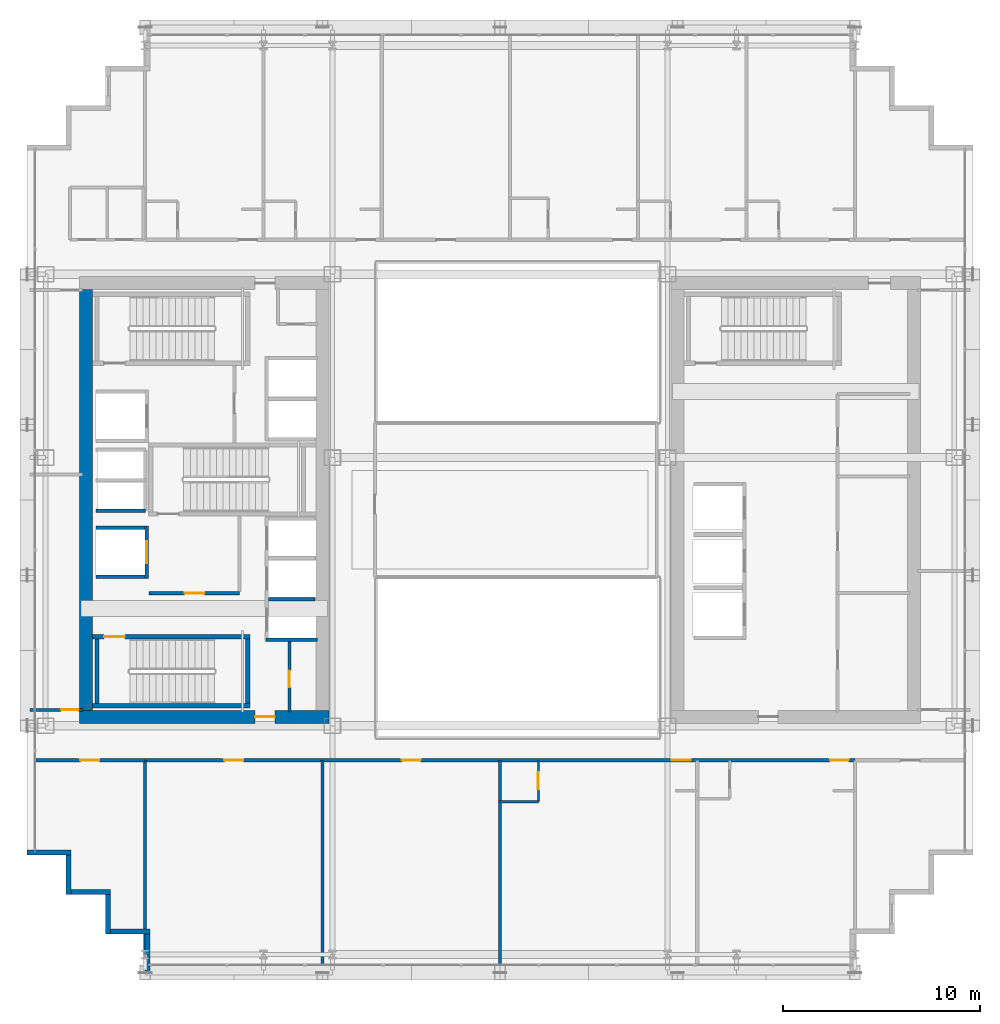
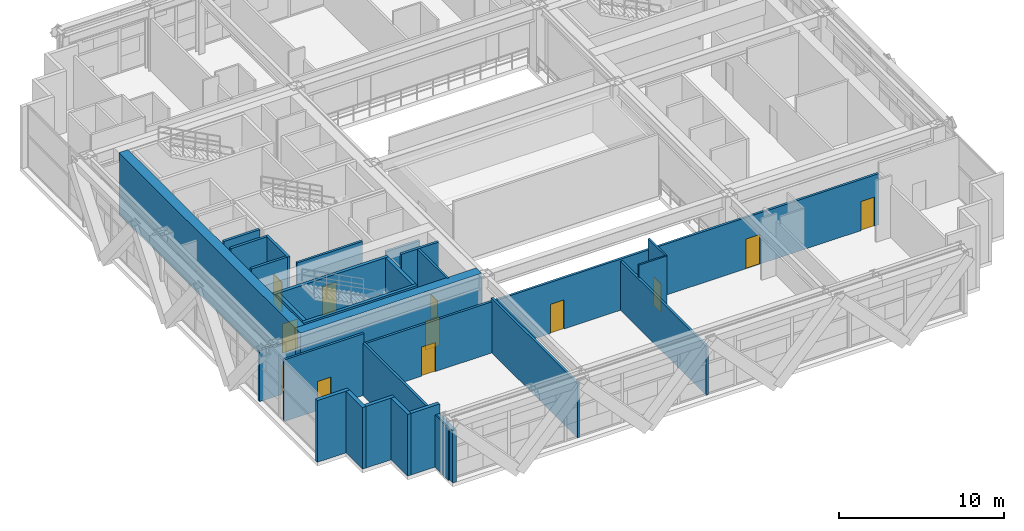
# One storey, part 30 of 38: 28 walls, 12 doors, 12 openings.
"""IFC4 building model written with IfcOpenShell, lengths in metres."""

from ifc_helpers import new_model, si_unit, direction, frame, frame_2d, origin, place, context, subcontext, project, spatial, rectangle, extrude, source, transform, mapped, material, layer, layer_set, type_object, element, fill, save


model = new_model("IFC4")

# Units and contexts
model_context = context("Model", 3, precision=1e-05, world=origin(), true_north=direction((0.0, 1.0)))
body_context = subcontext(model_context, "Body", "Model", "MODEL_VIEW")
ifc_project = project(units=[si_unit("LENGTHUNIT", "METRE"), si_unit("AREAUNIT", "SQUARE_METRE"), si_unit("VOLUMEUNIT", "CUBIC_METRE"), si_unit("PLANEANGLEUNIT", "RADIAN"), si_unit("MASSUNIT", "GRAM", prefix="KILO")], contexts=[model_context])

# Site, building, storey
site_placement = place(None, origin())
site = spatial("IfcSite", under=ifc_project, at=site_placement, CompositionType="ELEMENT")
building_placement = place(site_placement, origin())
building = spatial("IfcBuilding", under=site, at=building_placement, Name="Ocotamira Hotel", CompositionType="ELEMENT")
storey_placement = place(building_placement, frame((0.0, 0.0, 92.39990234375)))
storey = spatial("IfcBuildingStorey", under=building, at=storey_placement, Name="L22", CompositionType="ELEMENT", Elevation=92.39990234375)

# Wall, opening, door
ifc_material_1 = material(Name="Concrete C60/75", Category="concrete")
ifc_layer_1 = layer(ifc_material_1, 0.64990234375)
ifc_layer_set_1 = layer_set([ifc_layer_1], Name="Concrete C60/75")
wall_type_1 = type_object("IfcWallType", Name="WL-CORE-650", PredefinedType="SHEAR", material=ifc_layer_set_1)
wall_1_placement = place(storey_placement, frame((10.675048828125, 15.0, 0.0), z_axis=(0.0, 0.0, 1.0), x_axis=(1.0, 0.0, 0.0)))
wall_1 = element("IfcWall", 1, at=wall_1_placement, inside=storey, type_object=wall_type_1, Name="L22 Shear Core Wall WCORE-S", PredefinedType="SHEAR", context=body_context, shape_type="SweptSolid", body=[
    extrude(rectangle(XDim=12.64990234375, YDim=0.64990234375, at=frame_2d((6.324951171875, 0.0))), origin(), (0.0, 0.0, 1.0), 4.56005859375),
])
opening_1_placement = place(wall_1_placement, frame((8.905029296875, 0.0, 0.0)))
opening_1 = element("IfcOpeningElement", 2, at=opening_1_placement, cuts=wall_1, Name="Opening D-FR2", PredefinedType="OPENING", context=body_context, shape_type="SweptSolid", body=[
    extrude(rectangle(XDim=1.0, YDim=2.14990234375, at=frame_2d((0.5, 1.074951171875))), frame((0.0, 0.3349609375, 0.0), z_axis=(0.0, -1.0, 0.0), x_axis=(1.0, 0.0, 0.0)), (0.0, 0.0, 1.0), 0.669921875),
])
ifc_material_2 = material(Name="Fire-rated acoustic timber-veneer door", Category="wood")
door_type_1 = type_object("IfcDoorType", Name="DR-FIRE-1000", OperationType="NOTDEFINED", PredefinedType="DOOR", material=ifc_material_2)
shared_shape_1 = source(origin(), body_context, "Body", "SweptSolid", [
    extrude(rectangle(XDim=1.0, YDim=2.14990234375, at=frame_2d((0.5, 1.074951171875))), frame((0.0, 0.02490234375, 0.0), z_axis=(0.0, -1.0, 0.0), x_axis=(1.0, 0.0, 0.0)), (0.0, 0.0, 1.0), 0.050048828125),
])
door_1_placement = place(opening_1_placement, origin())
door_1 = element("IfcDoor", 3, at=door_1_placement, inside=storey, type_object=door_type_1, Name="L22 Door ID-L22-WLOB-S-D [ID-L22-WLOB-S-D]", OperationType="SINGLE_SWING_LEFT", OverallHeight=2.14990234375, OverallWidth=1.0, PredefinedType="DOOR", context=body_context, shape_type="MappedRepresentation", body=[
    mapped(shared_shape_1, transform((0.0, 0.0, 0.0), scale=1.0)),
])
fill(opening_1, door_1)

# Walls
wall_2_placement = place(storey_placement, frame((11.0, 15.324951171875, 0.0), z_axis=(0.0, 0.0, 1.0), x_axis=(0.0, 1.0, 0.0)))
element("IfcWall", 4, at=wall_2_placement, inside=storey, type_object=wall_type_1, Name="L22 Shear Core Wall WCORE-W", PredefinedType="SHEAR", context=body_context, shape_type="SweptSolid", body=[
    extrude(rectangle(XDim=21.35009765625, YDim=0.64990234375, at=frame_2d((10.675048828125, 0.0))), origin(), (0.0, 0.0, 1.0), 4.56005859375),
])
ifc_material_3 = material(Name="Precast concrete C45/55", Category="concrete")
ifc_layer_2 = layer(ifc_material_3, 0.25)
ifc_layer_set_2 = layer_set([ifc_layer_2], Name="Precast concrete C45/55")
wall_type_2 = type_object("IfcWallType", Name="WL-EXT-SER-250", PredefinedType="SOLIDWALL", material=ifc_layer_set_2)
wall_3_placement = place(storey_placement, frame((8.0, 8.125, 0.0), z_axis=(0.0, 0.0, 1.0), x_axis=(1.0, 0.0, 0.0)))
element("IfcWall", 5, at=wall_3_placement, inside=storey, type_object=wall_type_2, Name="L22 Serrated Corner Wall 19", PredefinedType="SOLIDWALL", context=body_context, shape_type="SweptSolid", body=[
    extrude(rectangle(XDim=2.25, YDim=0.25, at=frame_2d((1.125, 0.0))), origin(), (0.0, 0.0, 1.0), 4.56005859375),
])
for number, where, z_axis, x_axis, name in (
    (6, (10.125, 8.0, 0.0), (0.0, 0.0, 1.0), (0.0, -1.0, 0.0), "L22 Serrated Corner Wall 20"),
    (7, (10.25, 6.125, 0.0), (0.0, 0.0, 1.0), (1.0, 0.0, 0.0), "L22 Serrated Corner Wall 21"),
    (8, (12.125, 6.0, 0.0), (0.0, 0.0, 1.0), (0.0, -1.0, 0.0), "L22 Serrated Corner Wall 22"),
    (9, (12.25, 4.125, 0.0), (0.0, 0.0, 1.0), (1.0, 0.0, 0.0), "L22 Serrated Corner Wall 23"),
):
    element("IfcWall", number, at=place(storey_placement, frame(where, z_axis=z_axis, x_axis=x_axis)), inside=storey, type_object=wall_type_2, Name=name, PredefinedType="SOLIDWALL", context=body_context, shape_type="SweptSolid", body=[
        extrude(rectangle(XDim=2.0, YDim=0.25, at=frame_2d((1.0, 0.0))), origin(), (0.0, 0.0, 1.0), 4.56005859375),
    ])
wall_4_placement = place(storey_placement, frame((14.125, 4.0, 0.0), z_axis=(0.0, 0.0, 1.0), x_axis=(0.0, -1.0, 0.0)))
element("IfcWall", 10, at=wall_4_placement, inside=storey, type_object=wall_type_2, Name="L22 Serrated Corner Wall 24", PredefinedType="SOLIDWALL", context=body_context, shape_type="SweptSolid", body=[
    extrude(rectangle(XDim=2.0, YDim=0.25, at=frame_2d((1.0, 0.0))), origin(), (0.0, 0.0, 1.0), 3.8671875),
])

# Wall, opening, door
ifc_material_4 = material(Name="Acoustic double-layer fire gypsum board partition", Category="gypsum")
ifc_layer_3 = layer(ifc_material_4, 0.159912109375)
ifc_layer_set_3 = layer_set([ifc_layer_3], Name="Acoustic double-layer fire gypsum board partition")
wall_type_3 = type_object("IfcWallType", Name="WL-FIRE-160", PredefinedType="PARTITIONING", material=ifc_layer_set_3)
wall_5_placement = place(storey_placement, frame((14.199951171875, 21.27001953125, 0.0), z_axis=(0.0, 0.0, 1.0), x_axis=(1.0, 0.0, 0.0)))
wall_5 = element("IfcWall", 11, at=wall_5_placement, inside=storey, type_object=wall_type_3, Name="L22 Interior Wall PW-L22-FSAE1-S", PredefinedType="PARTITIONING", context=body_context, shape_type="SweptSolid", body=[
    extrude(rectangle(XDim=4.580078125, YDim=0.159912109375, at=frame_2d((2.2900390625, 0.0))), origin(), (0.0, 0.0, 1.0), 4.56005859375),
])
opening_2_placement = place(wall_5_placement, frame((1.800048828125, 0.0, 0.0)))
opening_2 = element("IfcOpeningElement", 12, at=opening_2_placement, cuts=wall_5, Name="Opening D-FR2", PredefinedType="OPENING", context=body_context, shape_type="SweptSolid", body=[
    extrude(rectangle(XDim=1.0, YDim=2.14990234375, at=frame_2d((0.5, 1.074951171875))), frame((0.0, 0.08984375, 0.0), z_axis=(0.0, -1.0, 0.0), x_axis=(1.0, 0.0, 0.0)), (0.0, 0.0, 1.0), 0.179931640625),
])
door_2_placement = place(opening_2_placement, origin())
door_2 = element("IfcDoor", 13, at=door_2_placement, inside=storey, type_object=door_type_1, Name="L22 Door ID-L22-FSAE1-D [ID-L22-FSAE1-D]", OperationType="SINGLE_SWING_LEFT", OverallHeight=2.14990234375, OverallWidth=1.0, PredefinedType="DOOR", context=body_context, shape_type="MappedRepresentation", body=[
    mapped(shared_shape_1, transform((0.0, 0.0, 0.0), scale=1.0)),
])
fill(opening_2, door_2)

# Wall, openings, doors
wall_6_placement = place(storey_placement, frame((14.0, 12.800048828125, 0.0), z_axis=(0.0, 0.0, 1.0), x_axis=(1.0, 0.0, 0.0)))
wall_6 = element("IfcWall", 14, at=wall_6_placement, inside=storey, type_object=wall_type_3, Name="L22 Interior Wall PW-L22-L22S-CORRW", PredefinedType="PARTITIONING", context=body_context, shape_type="SweptSolid", body=[
    extrude(rectangle(XDim=36.0, YDim=0.159912109375, at=frame_2d((18.0, 0.0))), origin(), (0.0, 0.0, 1.0), 3.781005859375),
])
opening_3_placement = place(wall_6_placement, frame((4.02001953125, 0.0, 0.0)))
opening_3 = element("IfcOpeningElement", 15, at=opening_3_placement, cuts=wall_6, Name="Opening D-SV4", PredefinedType="OPENING", context=body_context, shape_type="SweptSolid", body=[
    extrude(rectangle(XDim=0.9599609375, YDim=2.14990234375, at=frame_2d((0.47998046875, 1.074951171875))), frame((0.0, 0.08984375, 0.0), z_axis=(0.0, -1.0, 0.0), x_axis=(1.0, 0.0, 0.0)), (0.0, 0.0, 1.0), 0.179931640625),
])
opening_4_placement = place(wall_6_placement, frame((13.02001953125, 0.0, 0.0)))
opening_4 = element("IfcOpeningElement", 16, at=opening_4_placement, cuts=wall_6, Name="Opening D-SV4", PredefinedType="OPENING", context=body_context, shape_type="SweptSolid", body=[
    extrude(rectangle(XDim=0.9599609375, YDim=2.14990234375, at=frame_2d((0.47998046875, 1.074951171875))), frame((0.0, 0.08984375, 0.0), z_axis=(0.0, -1.0, 0.0), x_axis=(1.0, 0.0, 0.0)), (0.0, 0.0, 1.0), 0.179931640625),
])
opening_5_placement = place(wall_6_placement, frame((26.699951171875, 0.0, 0.0)))
opening_5 = element("IfcOpeningElement", 17, at=opening_5_placement, cuts=wall_6, Name="Opening D-GR2", PredefinedType="OPENING", context=body_context, shape_type="SweptSolid", body=[
    extrude(rectangle(XDim=0.97998046875, YDim=2.199951171875, at=frame_2d((0.489990234375, 1.10009765625))), frame((0.0, 0.08984375, 0.0), z_axis=(0.0, -1.0, 0.0), x_axis=(1.0, 0.0, 0.0)), (0.0, 0.0, 1.0), 0.179931640625),
])
opening_6_placement = place(wall_6_placement, frame((34.739990234375, 0.0, 0.0)))
opening_6 = element("IfcOpeningElement", 18, at=opening_6_placement, cuts=wall_6, Name="Opening D-GR1", PredefinedType="OPENING", context=body_context, shape_type="SweptSolid", body=[
    extrude(rectangle(XDim=0.93994140625, YDim=2.14990234375, at=frame_2d((0.469970703125, 1.074951171875))), frame((0.0, 0.08984375, 0.0), z_axis=(0.0, -1.0, 0.0), x_axis=(1.0, 0.0, 0.0)), (0.0, 0.0, 1.0), 0.179931640625),
])
ifc_material_5 = material(Name="Fire-rated accessible walnut salon door", Category="wood")
door_type_2 = type_object("IfcDoorType", Name="DR-SERV-960", OperationType="NOTDEFINED", PredefinedType="DOOR", material=ifc_material_5)
shared_shape_2 = source(origin(), body_context, "Body", "SweptSolid", [
    extrude(rectangle(XDim=0.9599609375, YDim=2.14990234375, at=frame_2d((0.47998046875, 1.074951171875))), frame((0.0, 0.02490234375, 0.0), z_axis=(0.0, -1.0, 0.0), x_axis=(1.0, 0.0, 0.0)), (0.0, 0.0, 1.0), 0.050048828125),
])
door_3_placement = place(opening_3_placement, origin())
door_3 = element("IfcDoor", 19, at=door_3_placement, inside=storey, type_object=door_type_2, Name="L22 Door ID-L22-L22S-AMD1 [ID-L22-L22S-AMD1]", OperationType="SINGLE_SWING_LEFT", OverallHeight=2.14990234375, OverallWidth=0.9599609375, PredefinedType="DOOR", context=body_context, shape_type="MappedRepresentation", body=[
    mapped(shared_shape_2, transform((0.0, 0.0, 0.0), scale=1.0)),
])
fill(opening_3, door_3)
door_4_placement = place(opening_4_placement, origin())
door_4 = element("IfcDoor", 20, at=door_4_placement, inside=storey, type_object=door_type_2, Name="L22 Door ID-L22-L22S-AMD2 [ID-L22-L22S-AMD2]", OperationType="SINGLE_SWING_RIGHT", OverallHeight=2.14990234375, OverallWidth=0.9599609375, PredefinedType="DOOR", context=body_context, shape_type="MappedRepresentation", body=[
    mapped(shared_shape_2, transform((0.0, 0.0, 0.0), scale=1.0)),
])
fill(opening_4, door_4)
ifc_material_6 = material(Name="Solid-core walnut suite entrance fire door", Category="wood")
door_type_3 = type_object("IfcDoorType", Name="DR-GUEST-940", OperationType="NOTDEFINED", PredefinedType="DOOR", material=ifc_material_6)
shared_shape_3 = source(origin(), body_context, "Body", "SweptSolid", [
    extrude(rectangle(XDim=0.93994140625, YDim=2.14990234375, at=frame_2d((0.469970703125, 1.074951171875))), frame((0.0, 0.02490234375, 0.0), z_axis=(0.0, -1.0, 0.0), x_axis=(1.0, 0.0, 0.0)), (0.0, 0.0, 1.0), 0.050048828125),
])
door_5_placement = place(opening_6_placement, origin())
door_5 = element("IfcDoor", 21, at=door_5_placement, inside=storey, type_object=door_type_3, Name="L22 Door ID-L22-L22S-RMD4 [ID-L22-L22S-RMD4]", OperationType="SINGLE_SWING_RIGHT", OverallHeight=2.14990234375, OverallWidth=0.93994140625, PredefinedType="DOOR", context=body_context, shape_type="MappedRepresentation", body=[
    mapped(shared_shape_3, transform((0.0, 0.0, 0.0), scale=1.0)),
])
fill(opening_6, door_5)
ifc_material_7 = material(Name="Solid-core walnut grand-suite entrance fire door", Category="wood")
door_type_4 = type_object("IfcDoorType", Name="DR-GUEST-980", OperationType="NOTDEFINED", PredefinedType="DOOR", material=ifc_material_7)
shared_shape_4 = source(origin(), body_context, "Body", "SweptSolid", [
    extrude(rectangle(XDim=0.97998046875, YDim=2.199951171875, at=frame_2d((0.489990234375, 1.10009765625))), frame((0.0, 0.02490234375, 0.0), z_axis=(0.0, -1.0, 0.0), x_axis=(1.0, 0.0, 0.0)), (0.0, 0.0, 1.0), 0.050048828125),
])
door_6_placement = place(opening_5_placement, origin())
door_6 = element("IfcDoor", 22, at=door_6_placement, inside=storey, type_object=door_type_4, Name="L22 Door ID-L22-L22S-RMD3 [ID-L22-L22S-RMD3]", OperationType="SINGLE_SWING_LEFT", OverallHeight=2.199951171875, OverallWidth=0.97998046875, PredefinedType="DOOR", context=body_context, shape_type="MappedRepresentation", body=[
    mapped(shared_shape_4, transform((0.0, 0.0, 0.0), scale=1.0)),
])
fill(opening_5, door_6)

# Wall, opening, door
wall_7_placement = place(storey_placement, frame((8.39990234375, 12.800048828125, 0.0), z_axis=(0.0, 0.0, 1.0), x_axis=(1.0, 0.0, 0.0)))
wall_7 = element("IfcWall", 23, at=wall_7_placement, inside=storey, type_object=wall_type_3, Name="L22 Interior Wall PW-L22-L22-CSW-CW", PredefinedType="PARTITIONING", context=body_context, shape_type="SweptSolid", body=[
    extrude(rectangle(XDim=5.60009765625, YDim=0.159912109375, at=frame_2d((2.800048828125, 0.0))), origin(), (0.0, 0.0, 1.0), 4.56005859375),
])
opening_7_placement = place(wall_7_placement, frame((2.320068359375, 0.0, 0.0)))
opening_7 = element("IfcOpeningElement", 24, at=opening_7_placement, cuts=wall_7, Name="Opening D-SV4", PredefinedType="OPENING", context=body_context, shape_type="SweptSolid", body=[
    extrude(rectangle(XDim=0.9599609375, YDim=2.14990234375, at=frame_2d((0.47998046875, 1.074951171875))), frame((0.0, 0.08984375, 0.0), z_axis=(0.0, -1.0, 0.0), x_axis=(1.0, 0.0, 0.0)), (0.0, 0.0, 1.0), 0.179931640625),
])
door_7_placement = place(opening_7_placement, origin())
door_7 = element("IfcDoor", 25, at=door_7_placement, inside=storey, type_object=door_type_2, Name="L22 Door ID-L22-L22-CSW-CD [ID-L22-L22-CSW-CD]", OperationType="SINGLE_SWING_LEFT", OverallHeight=2.14990234375, OverallWidth=0.9599609375, PredefinedType="DOOR", context=body_context, shape_type="MappedRepresentation", body=[
    mapped(shared_shape_2, transform((0.0, 0.0, 0.0), scale=1.0)),
])
fill(opening_7, door_7)

ifc_material_8 = material(Name="Moisture-resistant en-suite tile and gypsum partition", Category="gypsum")
ifc_layer_4 = layer(ifc_material_8, 0.1201171875)
ifc_layer_set_4 = layer_set([ifc_layer_4], Name="Moisture-resistant en-suite tile and gypsum partition")
wall_type_4 = type_object("IfcWallType", Name="WL-PART-120", PredefinedType="PARTITIONING", material=ifc_layer_set_4)
wall_8_placement = place(storey_placement, frame((33.949951171875, 10.699951171875, 0.0), z_axis=(0.0, 0.0, 1.0), x_axis=(0.0, 1.0, 0.0)))
wall_8 = element("IfcWall", 26, at=wall_8_placement, inside=storey, type_object=wall_type_4, Name="L22 Interior Wall PW-L22-L22S-BAE3", PredefinedType="PARTITIONING", context=body_context, shape_type="SweptSolid", body=[
    extrude(rectangle(XDim=2.10009765625, YDim=0.1201171875, at=frame_2d((1.050048828125, 0.0))), origin(), (0.0, 0.0, 1.0), 4.56005859375),
])
opening_8_placement = place(wall_8_placement, frame((0.6201171875, 0.0, 0.0)))
opening_8 = element("IfcOpeningElement", 27, at=opening_8_placement, cuts=wall_8, Name="Opening D-BA1", PredefinedType="OPENING", context=body_context, shape_type="SweptSolid", body=[
    extrude(rectangle(XDim=0.860107421875, YDim=2.10009765625, at=frame_2d((0.43017578125, 1.050048828125))), frame((0.0, 0.070068359375, 0.0), z_axis=(0.0, -1.0, 0.0), x_axis=(1.0, 0.0, 0.0)), (0.0, 0.0, 1.0), 0.14013671875),
])
ifc_material_9 = material(Name="Moisture-sealed en-suite timber door", Category="wood")
door_type_5 = type_object("IfcDoorType", Name="DR-BATH-860", OperationType="NOTDEFINED", PredefinedType="DOOR", material=ifc_material_9)
shared_shape_5 = source(origin(), body_context, "Body", "SweptSolid", [
    extrude(rectangle(XDim=0.860107421875, YDim=2.10009765625, at=frame_2d((0.43017578125, 1.050048828125))), frame((0.0, 0.02490234375, 0.0), z_axis=(0.0, -1.0, 0.0), x_axis=(1.0, 0.0, 0.0)), (0.0, 0.0, 1.0), 0.050048828125),
])
door_8_placement = place(opening_8_placement, origin())
door_8 = element("IfcDoor", 28, at=door_8_placement, inside=storey, type_object=door_type_5, Name="L22 Door ID-L22-L22S-BAD3 [ID-L22-L22S-BAD3]", OperationType="SINGLE_SWING_RIGHT", OverallHeight=2.10009765625, OverallWidth=0.860107421875, PredefinedType="DOOR", context=body_context, shape_type="MappedRepresentation", body=[
    mapped(shared_shape_5, transform((0.0, 0.0, 0.0), scale=1.0)),
])
fill(opening_8, door_8)

# Wall
wall_9_placement = place(storey_placement, frame((32.0, 10.699951171875, 0.0), z_axis=(0.0, 0.0, 1.0), x_axis=(1.0, 0.0, 0.0)))
element("IfcWall", 29, at=wall_9_placement, inside=storey, type_object=wall_type_4, Name="L22 Interior Wall PW-L22-L22S-BAS3", PredefinedType="PARTITIONING", context=body_context, shape_type="SweptSolid", body=[
    extrude(rectangle(XDim=1.949951171875, YDim=0.1201171875, at=frame_2d((0.97509765625, 0.0))), origin(), (0.0, 0.0, 1.0), 4.56005859375),
])

# Wall, opening, door
ifc_material_10 = material(Name="Acoustic hospitality gypsum board partition", Category="gypsum")
ifc_layer_5 = layer(ifc_material_10, 0.14208984375)
ifc_layer_set_5 = layer_set([ifc_layer_5], Name="Acoustic hospitality gypsum board partition")
wall_type_5 = type_object("IfcWallType", Name="WL-PART-142", PredefinedType="PARTITIONING", material=ifc_layer_set_5)
wall_10_placement = place(storey_placement, frame((21.320068359375, 15.25, 0.0), z_axis=(0.0, 0.0, 1.0), x_axis=(0.0, 1.0, 0.0)))
wall_10 = element("IfcWall", 30, at=wall_10_placement, inside=storey, type_object=wall_type_5, Name="L22 Interior Wall PW-L22-WC-SE-W", PredefinedType="PARTITIONING", context=body_context, shape_type="SweptSolid", body=[
    extrude(rectangle(XDim=3.590087890625, YDim=0.14208984375, at=frame_2d((1.794921875, 0.0))), origin(), (0.0, 0.0, 1.0), 4.56005859375),
])
opening_9_placement = place(wall_10_placement, frame((1.25, 0.0, 0.0)))
opening_9 = element("IfcOpeningElement", 31, at=opening_9_placement, cuts=wall_10, Name="Opening D-SV1", PredefinedType="OPENING", context=body_context, shape_type="SweptSolid", body=[
    extrude(rectangle(XDim=0.840087890625, YDim=2.10009765625, at=frame_2d((0.419921875, 1.050048828125))), frame((0.0, 0.0810546875, 0.0), z_axis=(0.0, -1.0, 0.0), x_axis=(1.0, 0.0, 0.0)), (0.0, 0.0, 1.0), 0.162109375),
])
ifc_material_11 = material(Name="Fire-rated painted steel service door", Category="steel")
door_type_6 = type_object("IfcDoorType", Name="DR-SERV-840", OperationType="NOTDEFINED", PredefinedType="DOOR", material=ifc_material_11)
shared_shape_6 = source(origin(), body_context, "Body", "SweptSolid", [
    extrude(rectangle(XDim=0.840087890625, YDim=2.10009765625, at=frame_2d((0.419921875, 1.050048828125))), frame((0.0, 0.02490234375, 0.0), z_axis=(0.0, -1.0, 0.0), x_axis=(1.0, 0.0, 0.0)), (0.0, 0.0, 1.0), 0.050048828125),
])
door_9_placement = place(opening_9_placement, origin())
door_9 = element("IfcDoor", 32, at=door_9_placement, inside=storey, type_object=door_type_6, Name="L22 Door ID-L22-WC-SE-D [ID-L22-WC-SE-D]", OperationType="SINGLE_SWING_RIGHT", OverallHeight=2.10009765625, OverallWidth=0.840087890625, PredefinedType="DOOR", context=body_context, shape_type="MappedRepresentation", body=[
    mapped(shared_shape_6, transform((0.0, 0.0, 0.0), scale=1.0)),
])
fill(opening_9, door_9)

ifc_layer_6 = layer(ifc_material_10, 0.14990234375)
ifc_layer_set_6 = layer_set([ifc_layer_6], Name="Acoustic hospitality gypsum board partition")
wall_type_6 = type_object("IfcWallType", Name="WL-PART-150", PredefinedType="PARTITIONING", material=ifc_layer_set_6)
wall_11_placement = place(storey_placement, frame((8.159912109375, 15.360107421875, 0.0), z_axis=(0.0, 0.0, 1.0), x_axis=(1.0, 0.0, 0.0)))
wall_11 = element("IfcWall", 33, at=wall_11_placement, inside=storey, type_object=wall_type_6, Name="L22 Interior Wall PW-L22-L22W-WS", PredefinedType="PARTITIONING", context=body_context, shape_type="SweptSolid", body=[
    extrude(rectangle(XDim=2.66015625, YDim=0.14990234375, at=frame_2d((1.330078125, 0.0))), origin(), (0.0, 0.0, 1.0), 3.781005859375),
])
opening_10_placement = place(wall_11_placement, frame((1.580078125, 0.0, 0.0)))
opening_10 = element("IfcOpeningElement", 34, at=opening_10_placement, cuts=wall_11, Name="Opening D-SV2", PredefinedType="OPENING", context=body_context, shape_type="SweptSolid", body=[
    extrude(rectangle(XDim=0.8798828125, YDim=2.14990234375, at=frame_2d((0.43994140625, 1.074951171875))), frame((0.0, 0.0849609375, 0.0), z_axis=(0.0, -1.0, 0.0), x_axis=(1.0, 0.0, 0.0)), (0.0, 0.0, 1.0), 0.169921875),
])
door_type_7 = type_object("IfcDoorType", Name="DR-SERV-880", OperationType="NOTDEFINED", PredefinedType="DOOR", material=ifc_material_11)
shared_shape_7 = source(origin(), body_context, "Body", "SweptSolid", [
    extrude(rectangle(XDim=0.8798828125, YDim=2.14990234375, at=frame_2d((0.43994140625, 1.074951171875))), frame((0.0, 0.02490234375, 0.0), z_axis=(0.0, -1.0, 0.0), x_axis=(1.0, 0.0, 0.0)), (0.0, 0.0, 1.0), 0.050048828125),
])
door_10_placement = place(opening_10_placement, origin())
door_10 = element("IfcDoor", 35, at=door_10_placement, inside=storey, type_object=door_type_7, Name="L22 Door ID-L22-L22W-DS [ID-L22-L22W-DS]", OperationType="SINGLE_SWING_LEFT", OverallHeight=2.14990234375, OverallWidth=0.8798828125, PredefinedType="DOOR", context=body_context, shape_type="MappedRepresentation", body=[
    mapped(shared_shape_7, transform((0.0, 0.0, 0.0), scale=1.0)),
])
fill(opening_10, door_10)

# Walls
ifc_material_12 = material(Name="Acoustic double-stud hospitality gypsum partition", Category="gypsum")
ifc_layer_7 = layer(ifc_material_12, 0.159912109375)
ifc_layer_set_7 = layer_set([ifc_layer_7], Name="Acoustic double-stud hospitality gypsum partition")
wall_type_7 = type_object("IfcWallType", Name="WL-PART-160", PredefinedType="PARTITIONING", material=ifc_layer_set_7)
wall_12_placement = place(storey_placement, frame((14.0, 2.360107421875, 0.0), z_axis=(0.0, 0.0, 1.0), x_axis=(0.0, 1.0, 0.0)))
element("IfcWall", 36, at=wall_12_placement, inside=storey, type_object=wall_type_7, Name="L22 Interior Wall PW-L22-L22S-PW0", PredefinedType="PARTITIONING", context=body_context, shape_type="SweptSolid", body=[
    extrude(rectangle(XDim=10.43994140625, YDim=0.159912109375, at=frame_2d((5.219970703125, 0.0))), origin(), (0.0, 0.0, 1.0), 3.8671875),
])
wall_13_placement = place(storey_placement, frame((23.0, 2.360107421875, 0.0), z_axis=(0.0, 0.0, 1.0), x_axis=(0.0, 1.0, 0.0)))
element("IfcWall", 37, at=wall_13_placement, inside=storey, type_object=wall_type_7, Name="L22 Interior Wall PW-L22-L22S-PW1", PredefinedType="PARTITIONING", context=body_context, shape_type="SweptSolid", body=[
    extrude(rectangle(XDim=10.43994140625, YDim=0.159912109375, at=frame_2d((5.219970703125, 0.0))), origin(), (0.0, 0.0, 1.0), 4.023193359375),
])
wall_14_placement = place(storey_placement, frame((32.0, 2.360107421875, 0.0), z_axis=(0.0, 0.0, 1.0), x_axis=(0.0, 1.0, 0.0)))
element("IfcWall", 38, at=wall_14_placement, inside=storey, type_object=wall_type_7, Name="L22 Interior Wall PW-L22-L22S-PW2", PredefinedType="PARTITIONING", context=body_context, shape_type="SweptSolid", body=[
    extrude(rectangle(XDim=10.43994140625, YDim=0.159912109375, at=frame_2d((5.219970703125, 0.0))), origin(), (0.0, 0.0, 1.0), 3.633056640625),
])
ifc_material_13 = material(Name="Fire-rated gypsum shaftliner board assembly", Category="gypsum")
ifc_layer_8 = layer(ifc_material_13, 0.179931640625)
ifc_layer_set_8 = layer_set([ifc_layer_8], Name="Fire-rated gypsum shaftliner board assembly")
wall_type_8 = type_object("IfcWallType", Name="WL-SHAFT-180", PredefinedType="SOLIDWALL", material=ifc_layer_set_8)
wall_15_placement = place(storey_placement, frame((20.1201171875, 18.909912109375, 0.0), z_axis=(0.0, 0.0, 1.0), x_axis=(1.0, 0.0, 0.0)))
element("IfcWall", 39, at=wall_15_placement, inside=storey, type_object=wall_type_8, Name="L22 Interior Wall PW-L22-LFW-BANK-high-S", PredefinedType="SOLIDWALL", context=body_context, shape_type="SweptSolid", body=[
    extrude(rectangle(XDim=2.6298828125, YDim=0.179931640625, at=frame_2d((1.31494140625, 0.0))), origin(), (0.0, 0.0, 1.0), 4.56005859375),
])
wall_16_placement = place(storey_placement, frame((20.25, 20.965087890625, 0.0), z_axis=(0.0, 0.0, 1.0), x_axis=(1.0, 0.0, 0.0)))
element("IfcWall", 40, at=wall_16_placement, inside=storey, type_object=wall_type_8, Name="L22 Interior Wall PW-L22-LFW-DIV-LF-P7", PredefinedType="SOLIDWALL", context=body_context, shape_type="SweptSolid", body=[
    extrude(rectangle(XDim=2.360107421875, YDim=0.179931640625, at=frame_2d((1.18017578125, 0.0))), origin(), (0.0, 0.0, 1.0), 3.460205078125),
])
for number, where, z_axis, x_axis, name in (
    (41, (11.5, 22.110107421875, 0.0), (0.0, 0.0, 1.0), (1.0, 0.0, 0.0), "L22 Interior Wall PW-L22-LFW-LF-FSAE1-S"),
    (42, (11.5, 24.590087890625, 0.0), (0.0, 0.0, 1.0), (1.0, 0.0, 0.0), "L22 Interior Wall PW-L22-LFW-LF-FSAE1-N"),
):
    element("IfcWall", number, at=place(storey_placement, frame(where, z_axis=z_axis, x_axis=x_axis)), inside=storey, type_object=wall_type_8, Name=name, PredefinedType="SOLIDWALL", context=body_context, shape_type="SweptSolid", body=[
        extrude(rectangle(XDim=2.5, YDim=0.179931640625, at=frame_2d((1.25, 0.0))), origin(), (0.0, 0.0, 1.0), 4.56005859375),
    ])

# Wall, opening, door
wall_17_placement = place(storey_placement, frame((14.090087890625, 22.02001953125, 0.0), z_axis=(0.0, 0.0, 1.0), x_axis=(0.0, 1.0, 0.0)))
wall_17 = element("IfcWall", 43, at=wall_17_placement, inside=storey, type_object=wall_type_8, Name="L22 Interior Wall PW-L22-LFW-LF-FSAE1-E", PredefinedType="SOLIDWALL", context=body_context, shape_type="SweptSolid", body=[
    extrude(rectangle(XDim=2.659912109375, YDim=0.179931640625, at=frame_2d((1.330078125, 0.0))), origin(), (0.0, 0.0, 1.0), 4.56005859375),
])
opening_11_placement = place(wall_17_placement, frame((0.780029296875, 0.0, 0.0)))
opening_11 = element("IfcOpeningElement", 44, at=opening_11_placement, cuts=wall_17, Name="Opening LD-LF-FSAE1", PredefinedType="OPENING", context=body_context, shape_type="SweptSolid", body=[
    extrude(rectangle(XDim=1.10009765625, YDim=2.199951171875, at=frame_2d((0.550048828125, 1.10009765625))), frame((0.0, 0.10009765625, 0.0), z_axis=(0.0, -1.0, 0.0), x_axis=(1.0, 0.0, 0.0)), (0.0, 0.0, 1.0), 0.199951171875),
])
ifc_material_14 = material(Name="Brushed pale-metal stainless elevator landing door", Category="steel")
door_type_8 = type_object("IfcDoorType", Name="DR-LIFT-1100", OperationType="NOTDEFINED", PredefinedType="DOOR", material=ifc_material_14)
shared_shape_8 = source(origin(), body_context, "Body", "SweptSolid", [
    extrude(rectangle(XDim=1.10009765625, YDim=2.199951171875, at=frame_2d((0.550048828125, 1.10009765625))), frame((0.0, 0.02490234375, 0.0), z_axis=(0.0, -1.0, 0.0), x_axis=(1.0, 0.0, 0.0)), (0.0, 0.0, 1.0), 0.050048828125),
])
door_11_placement = place(opening_11_placement, origin())
door_11 = element("IfcDoor", 45, at=door_11_placement, inside=storey, type_object=door_type_8, Name="L22 Landing Door LD-LF-FSAE1 [ID-L22-LD-LF-FSAE1]", OperationType="DOUBLE_DOOR_SLIDING", OverallHeight=2.199951171875, OverallWidth=1.10009765625, PredefinedType="DOOR", context=body_context, shape_type="MappedRepresentation", body=[
    mapped(shared_shape_8, transform((0.0, 0.0, 0.0), scale=1.0)),
])
fill(opening_11, door_11)

# Walls
wall_18_placement = place(storey_placement, frame((11.5, 25.4599609375, 0.0), z_axis=(0.0, 0.0, 1.0), x_axis=(1.0, 0.0, 0.0)))
element("IfcWall", 46, at=wall_18_placement, inside=storey, type_object=wall_type_8, Name="L22 Interior Wall PW-L22-RSW-S", PredefinedType="SOLIDWALL", context=body_context, shape_type="SweptSolid", body=[
    extrude(rectangle(XDim=2.510009765625, YDim=0.179931640625, at=frame_2d((1.2548828125, 0.0))), origin(), (0.0, 0.0, 1.0), 4.56005859375),
])
ifc_material_15 = material(Name="Concrete C50/60", Category="concrete")
ifc_layer_9 = layer(ifc_material_15, 0.219970703125)
ifc_layer_set_9 = layer_set([ifc_layer_9], Name="Concrete C50/60")
wall_type_9 = type_object("IfcWallType", Name="WL-STAIR-220", PredefinedType="SHEAR", material=ifc_layer_set_9)
wall_19_placement = place(storey_placement, frame((11.324951171875, 15.56005859375, 0.0), z_axis=(0.0, 0.0, 1.0), x_axis=(1.0, 0.0, 0.0)))
element("IfcWall", 47, at=wall_19_placement, inside=storey, type_object=wall_type_9, Name="L22 Stair Shaft Structural Wall ST-1-S", PredefinedType="SHEAR", context=body_context, shape_type="SweptSolid", body=[
    extrude(rectangle(XDim=7.985107421875, YDim=0.219970703125, at=frame_2d((3.99267578125, 0.0))), origin(), (0.0, 0.0, 1.0), 4.60009765625),
])

# Wall, opening, door
wall_20_placement = place(storey_placement, frame((11.324951171875, 19.06005859375, 0.0), z_axis=(0.0, 0.0, 1.0), x_axis=(1.0, 0.0, 0.0)))
wall_20 = element("IfcWall", 48, at=wall_20_placement, inside=storey, type_object=wall_type_9, Name="L22 Stair Shaft Structural Wall ST-1-N", PredefinedType="SHEAR", context=body_context, shape_type="SweptSolid", body=[
    extrude(rectangle(XDim=7.985107421875, YDim=0.219970703125, at=frame_2d((3.99267578125, 0.0))), origin(), (0.0, 0.0, 1.0), 4.60009765625),
])
opening_12_placement = place(wall_20_placement, frame((0.594970703125, 0.0, 0.0)))
opening_12 = element("IfcOpeningElement", 49, at=opening_12_placement, cuts=wall_20, Name="Opening D-ST2", PredefinedType="OPENING", context=body_context, shape_type="SweptSolid", body=[
    extrude(rectangle(XDim=1.050048828125, YDim=2.14990234375, at=frame_2d((0.52490234375, 1.074951171875))), frame((0.0, 0.1201171875, 0.0), z_axis=(0.0, -1.0, 0.0), x_axis=(1.0, 0.0, 0.0)), (0.0, 0.0, 1.0), 0.239990234375),
])
ifc_material_16 = material(Name="Insulated painted hollow-metal fire exit door", Category="steel")
door_type_9 = type_object("IfcDoorType", Name="DR-STAIR-1050", OperationType="NOTDEFINED", PredefinedType="DOOR", material=ifc_material_16)
shared_shape_9 = source(origin(), body_context, "Body", "SweptSolid", [
    extrude(rectangle(XDim=1.050048828125, YDim=2.14990234375, at=frame_2d((0.52490234375, 1.074951171875))), frame((0.0, 0.02490234375, 0.0), z_axis=(0.0, -1.0, 0.0), x_axis=(1.0, 0.0, 0.0)), (0.0, 0.0, 1.0), 0.050048828125),
])
door_12_placement = place(opening_12_placement, origin())
door_12 = element("IfcDoor", 50, at=door_12_placement, inside=storey, type_object=door_type_9, Name="L22 Door ID-L22-STD-ST-1 [ID-L22-STD-ST-1]", OperationType="SINGLE_SWING_LEFT", OverallHeight=2.14990234375, OverallWidth=1.050048828125, PredefinedType="DOOR", context=body_context, shape_type="MappedRepresentation", body=[
    mapped(shared_shape_9, transform((0.0, 0.0, 0.0), scale=1.0)),
])
fill(opening_12, door_12)

# Walls
for number, where, z_axis, x_axis, name in (
    (51, (11.56005859375, 15.669921875, 0.0), (0.0, 0.0, 1.0), (0.0, 1.0, 0.0), "L22 Stair Shaft Structural Wall ST-1-W"),
    (52, (19.199951171875, 15.669921875, 0.0), (0.0, 0.0, 1.0), (0.0, 1.0, 0.0), "L22 Stair Shaft Structural Wall ST-1-E"),
):
    element("IfcWall", number, at=place(storey_placement, frame(where, z_axis=z_axis, x_axis=x_axis)), inside=storey, type_object=wall_type_9, Name=name, PredefinedType="SHEAR", context=body_context, shape_type="SweptSolid", body=[
        extrude(rectangle(XDim=3.280029296875, YDim=0.219970703125, at=frame_2d((1.64013671875, 0.0))), origin(), (0.0, 0.0, 1.0), 4.60009765625),
    ])

save(model, "model.ifc")
